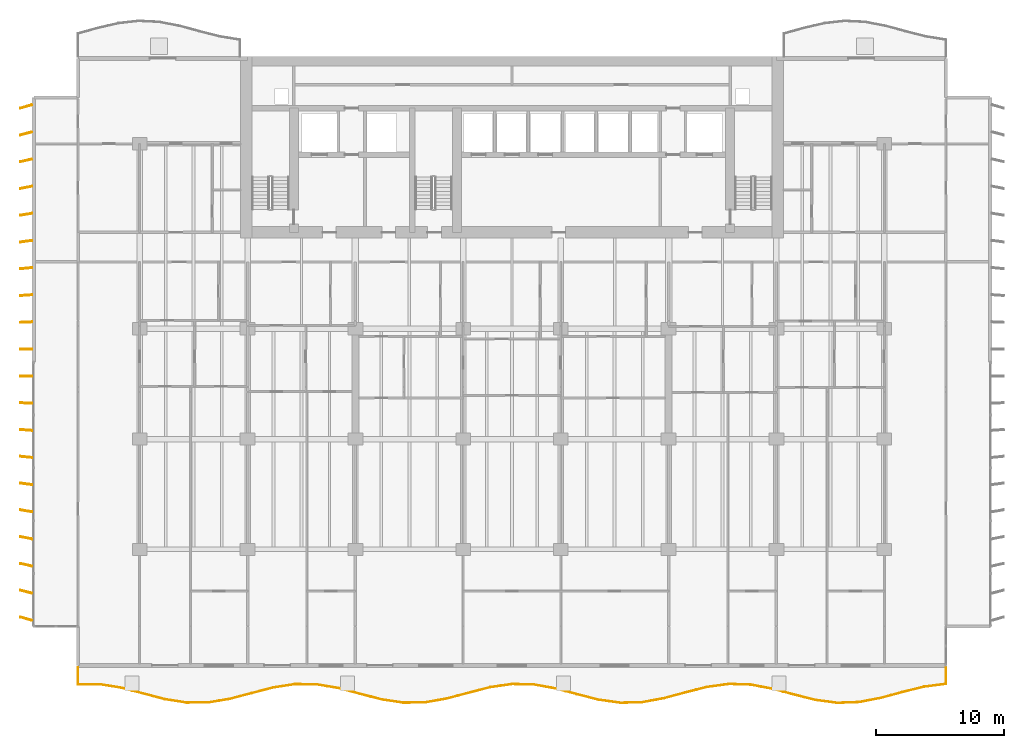
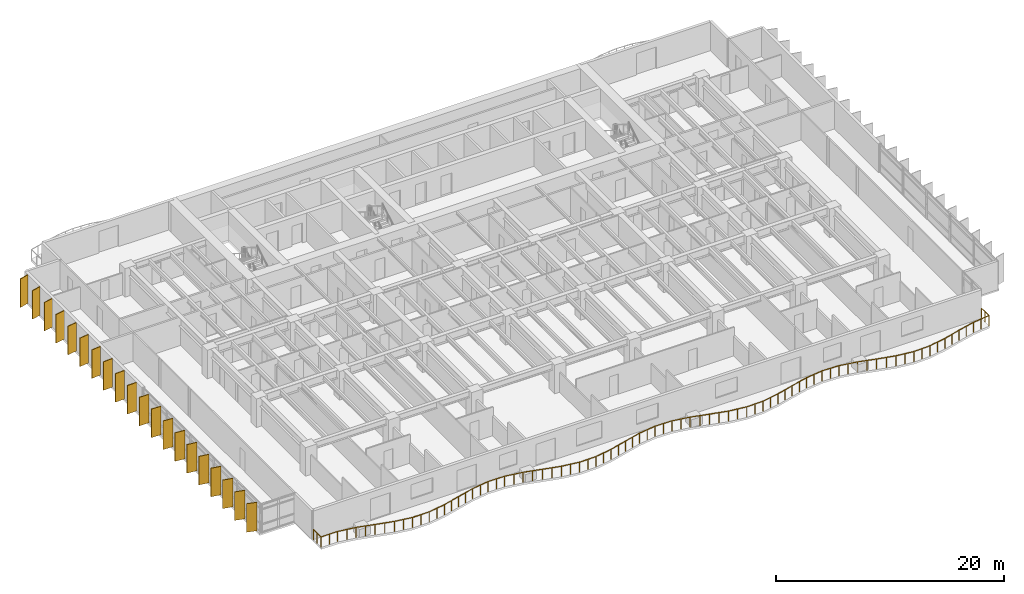
# One storey, part 14 of 17: 20 shading devices, 1 railing.
"""IFC4 building model written with IfcOpenShell, lengths in metres."""

from ifc_helpers import new_model, si_unit, direction, frame, origin, origin_2d, place, context, subcontext, project, spatial, rectangle, circle, extrude, material, material_profile, profile_set, type_object, element, save


model = new_model("IFC4")

# Units and contexts
model_context = context("Model", 3, precision=1e-05, world=origin(), true_north=direction((0.0, 1.0)))
body_context = subcontext(model_context, "Body", "Model", "MODEL_VIEW")
ifc_project = project(units=[si_unit("LENGTHUNIT", "METRE"), si_unit("AREAUNIT", "SQUARE_METRE"), si_unit("VOLUMEUNIT", "CUBIC_METRE"), si_unit("PLANEANGLEUNIT", "RADIAN"), si_unit("MASSUNIT", "GRAM", prefix="KILO")], contexts=[model_context])

# Site, building, storey
site_placement = place(None, origin())
site = spatial("IfcSite", under=ifc_project, at=site_placement, CompositionType="ELEMENT")
building_placement = place(site_placement, origin())
building = spatial("IfcBuilding", under=site, at=building_placement, Name="Caelmar Bay Residences", CompositionType="ELEMENT")
storey_placement = place(building_placement, frame((0.0, 0.0, 53.10009765625)))
storey = spatial("IfcBuildingStorey", under=building, at=storey_placement, Name="L13", CompositionType="ELEMENT", Elevation=53.10009765625)

# Railing
ifc_material_1 = material(Name="Anodised bronze handrail with laminated hurricane glass infill", Category="glass")
railing_type = type_object("IfcRailingType", Name="RL-BAL-1100", PredefinedType="BALUSTRADE", material=ifc_material_1)
railing_placement = place(storey_placement, frame((5.10009765625, 3.0, 0.0)))
element("IfcRailing", 1, at=railing_placement, inside=storey, type_object=railing_type, Name="L13 south Balcony Balustrade", PredefinedType="BALUSTRADE", context=body_context, shape_type="SweptSolid", body=[
    extrude(circle(Radius=0.02392578125, at=origin_2d()), frame((0.0, 0.0, 1.076171875), z_axis=(0.0, -1.0, 0.0), x_axis=(1.0, 0.0, 0.0)), (0.0, 0.0, 1.0), 1.306640625),
    extrude(circle(Radius=0.02392578125, at=origin_2d()), frame((0.0, -1.306640625, 1.076171875), z_axis=(0.999999833035, -0.000577867572, 0.0), x_axis=(0.000577867572, 0.999999833035, 0.0)), (0.0, 0.0, 1.0), 1.68994140625),
    extrude(circle(Radius=0.02392578125, at=origin_2d()), frame((1.68994140625, -1.3076171875, 1.076171875), z_axis=(0.986912976197, -0.161253767131, 0.0), x_axis=(0.161253767131, 0.986912976197, 0.0)), (0.0, 0.0, 1.0), 1.71240234375),
    extrude(circle(Radius=0.02392578125, at=origin_2d()), frame((3.3798828125, -1.583740234375, 1.076171875), z_axis=(0.967094441618, -0.254417650706, 0.0), x_axis=(0.254417650706, 0.967094441618, 0.0)), (0.0, 0.0, 1.0), 1.74755859375),
    extrude(circle(Radius=0.02392578125, at=origin_2d()), frame((5.06982421875, -2.0283203125, 1.076171875), z_axis=(0.967514789184, -0.252814423463, 0.0), x_axis=(0.252814423463, 0.967514789184, 0.0)), (0.0, 0.0, 1.0), 1.746826171875),
    extrude(circle(Radius=0.02392578125, at=origin_2d()), frame((6.760009765625, -2.469970703125, 1.076171875), z_axis=(0.98769577134, -0.156387541952, 0.0), x_axis=(0.156387541952, 0.98769577134, 0.0)), (0.0, 0.0, 1.0), 1.7109375),
    extrude(circle(Radius=0.02392578125, at=origin_2d()), frame((8.449951171875, -2.737548828125, 1.076171875), z_axis=(0.999983303866, 0.005778580201, 0.0), x_axis=(-0.005778580201, 0.999983303866, 0.0)), (0.0, 0.0, 1.0), 1.68994140625),
    extrude(circle(Radius=0.02392578125, at=origin_2d()), frame((10.139892578125, -2.727783203125, 1.076171875), z_axis=(0.986270417798, 0.165138314682, 0.0), x_axis=(-0.165138314682, 0.986270417798, 0.0)), (0.0, 0.0, 1.0), 1.71337890625),
    extrude(circle(Radius=0.02392578125, at=origin_2d()), frame((11.829833984375, -2.44482421875, 1.076171875), z_axis=(0.966724528556, 0.255819635464, 0.0), x_axis=(-0.255819635464, 0.966724528556, 0.0)), (0.0, 0.0, 1.0), 1.748291015625),
    extrude(circle(Radius=0.02392578125, at=origin_2d()), frame((13.52001953125, -1.99755859375, 1.076171875), z_axis=(0.967949070137, 0.251146566016, 0.0), x_axis=(-0.251146566016, 0.967949070137, 0.0)), (0.0, 0.0, 1.0), 1.745849609375),
    extrude(circle(Radius=0.02392578125, at=origin_2d()), frame((15.2099609375, -1.55908203125, 1.076171875), z_axis=(0.988327087853, 0.152346865464, 0.0), x_axis=(-0.152346865464, 0.988327087853, 0.0)), (0.0, 0.0, 1.0), 1.7099609375),
    extrude(circle(Radius=0.02392578125, at=origin_2d()), frame((16.89990234375, -1.298583984375, 1.076171875), z_axis=(0.999941306352, -0.010834382834, 0.0), x_axis=(0.010834382834, 0.999941306352, 0.0)), (0.0, 0.0, 1.0), 1.68994140625),
    extrude(circle(Radius=0.02392578125, at=origin_2d()), frame((18.58984375, -1.31689453125, 1.076171875), z_axis=(0.985613445936, -0.169015192188, 0.0), x_axis=(0.169015192188, 0.985613445936, 0.0)), (0.0, 0.0, 1.0), 1.714599609375),
    extrude(circle(Radius=0.02392578125, at=origin_2d()), frame((20.27978515625, -1.606689453125, 1.076171875), z_axis=(0.966378433467, -0.257123945464, 0.0), x_axis=(0.257123945464, 0.966378433467, 0.0)), (0.0, 0.0, 1.0), 1.7490234375),
    extrude(circle(Radius=0.02392578125, at=origin_2d()), frame((21.969970703125, -2.056396484375, 1.076171875), z_axis=(0.968355890174, -0.249573375913, 0.0), x_axis=(0.249573375913, 0.968355890174, 0.0)), (0.0, 0.0, 1.0), 1.7451171875),
    extrude(circle(Radius=0.02392578125, at=origin_2d()), frame((23.659912109375, -2.491943359375, 1.076171875), z_axis=(0.988963583268, -0.148158803214, 0.0), x_axis=(0.148158803214, 0.988963583268, 0.0)), (0.0, 0.0, 1.0), 1.708740234375),
    extrude(circle(Radius=0.02392578125, at=origin_2d()), frame((25.349853515625, -2.7451171875, 1.076171875), z_axis=(0.999873756235, 0.015889354693, 0.0), x_axis=(-0.015889354693, 0.999873756235, 0.0)), (0.0, 0.0, 1.0), 1.690185546875),
    extrude(circle(Radius=0.02392578125, at=origin_2d()), frame((27.039794921875, -2.71826171875, 1.076171875), z_axis=(0.984922170397, 0.172998029641, 0.0), x_axis=(-0.172998029641, 0.984922170397, 0.0)), (0.0, 0.0, 1.0), 1.716064453125),
    extrude(circle(Radius=0.02392578125, at=origin_2d()), frame((28.72998046875, -2.42138671875, 1.076171875), z_axis=(0.966056345192, 0.258331449718, 0.0), x_axis=(-0.258331449718, 0.966056345192, 0.0)), (0.0, 0.0, 1.0), 1.749267578125),
    extrude(circle(Radius=0.02392578125, at=origin_2d()), frame((30.419921875, -1.969482421875, 1.076171875), z_axis=(0.968794107447, 0.24786685413, 0.0), x_axis=(-0.24786685413, 0.968794107447, 0.0)), (0.0, 0.0, 1.0), 1.744384765625),
    extrude(circle(Radius=0.02392578125, at=origin_2d()), frame((32.10986328125, -1.537109375, 1.076171875), z_axis=(0.989603464117, 0.143822751358, 0.0), x_axis=(-0.143822751358, 0.989603464117, 0.0)), (0.0, 0.0, 1.0), 1.707763671875),
    extrude(circle(Radius=0.02392578125, at=origin_2d()), frame((33.7998046875, -1.29150390625, 1.076171875), z_axis=(0.99977769859, -0.021084435071, 0.0), x_axis=(0.021084435071, 0.99977769859, 0.0)), (0.0, 0.0, 1.0), 1.690673828125),
    extrude(circle(Radius=0.02392578125, at=origin_2d()), frame((35.489990234375, -1.3271484375, 1.076171875), z_axis=(0.984256622115, -0.176745302122, 0.0), x_axis=(0.176745302122, 0.984256622115, 0.0)), (0.0, 0.0, 1.0), 1.717041015625),
    extrude(circle(Radius=0.02392578125, at=origin_2d()), frame((37.179931640625, -1.630615234375, 1.076171875), z_axis=(0.965777225915, -0.259372993784, 0.0), x_axis=(0.259372993784, 0.965777225915, 0.0)), (0.0, 0.0, 1.0), 1.749755859375),
    extrude(circle(Radius=0.02392578125, at=origin_2d()), frame((38.869873046875, -2.08447265625, 1.076171875), z_axis=(0.969263107801, -0.246026477955, 0.0), x_axis=(0.246026477955, 0.969263107801, 0.0)), (0.0, 0.0, 1.0), 1.74365234375),
    extrude(circle(Radius=0.02392578125, at=origin_2d()), frame((40.559814453125, -2.513427734375, 1.076171875), z_axis=(0.990208134164, -0.139598893391, 0.0), x_axis=(0.139598893391, 0.990208134164, 0.0)), (0.0, 0.0, 1.0), 1.706787109375),
    extrude(circle(Radius=0.02392578125, at=origin_2d()), frame((42.25, -2.751708984375, 1.076171875), z_axis=(0.999658302876, 0.026139577119, 0.0), x_axis=(-0.026139577119, 0.999658302876, 0.0)), (0.0, 0.0, 1.0), 1.6904296875),
    extrude(circle(Radius=0.02392578125, at=origin_2d()), frame((43.93994140625, -2.70751953125, 1.076171875), z_axis=(0.983582184878, 0.180460759144, 0.0), x_axis=(-0.180460759144, 0.983582184878, 0.0)), (0.0, 0.0, 1.0), 1.71826171875),
    extrude(circle(Radius=0.02392578125, at=origin_2d()), frame((45.6298828125, -2.3974609375, 1.076171875), z_axis=(0.965497146249, 0.260413633639, 0.0), x_axis=(-0.260413633639, 0.965497146249, 0.0)), (0.0, 0.0, 1.0), 1.750244140625),
    extrude(circle(Radius=0.02392578125, at=origin_2d()), frame((47.31982421875, -1.941650390625, 1.076171875), z_axis=(0.969737411097, 0.244150268315, 0.0), x_axis=(-0.244150268315, 0.969737411097, 0.0)), (0.0, 0.0, 1.0), 1.742919921875),
    extrude(circle(Radius=0.02392578125, at=origin_2d()), frame((49.010009765625, -1.51611328125, 1.076171875), z_axis=(0.990790057905, 0.135407020338, 0.0), x_axis=(-0.135407020338, 0.990790057905, 0.0)), (0.0, 0.0, 1.0), 1.70556640625),
    extrude(circle(Radius=0.02392578125, at=origin_2d()), frame((50.699951171875, -1.28515625, 1.076171875), z_axis=(0.999504439275, -0.031478180838, 0.0), x_axis=(0.031478180838, 0.999504439275, 0.0)), (0.0, 0.0, 1.0), 1.690673828125),
    extrude(circle(Radius=0.02392578125, at=origin_2d()), frame((52.389892578125, -1.33837890625, 1.076171875), z_axis=(0.982920379518, -0.18403132214, 0.0), x_axis=(0.18403132214, 0.982920379518, 0.0)), (0.0, 0.0, 1.0), 1.71923828125),
    extrude(circle(Radius=0.02392578125, at=origin_2d()), frame((54.079833984375, -1.65478515625, 1.076171875), z_axis=(0.965260811811, -0.26128827984, 0.0), x_axis=(0.26128827984, 0.965260811811, 0.0)), (0.0, 0.0, 1.0), 1.7509765625),
    extrude(circle(Radius=0.02392578125, at=origin_2d()), frame((55.77001953125, -2.1123046875, 1.076171875), z_axis=(0.970224894322, -0.242205810082, 0.0), x_axis=(0.242205810082, 0.970224894322, 0.0)), (0.0, 0.0, 1.0), 1.74169921875),
    extrude(circle(Radius=0.02392578125, at=origin_2d()), frame((57.4599609375, -2.5341796875, 1.076171875), z_axis=(0.991394719073, -0.130906497144, 0.0), x_axis=(0.130906497144, 0.991394719073, 0.0)), (0.0, 0.0, 1.0), 1.70458984375),
    extrude(circle(Radius=0.02392578125, at=origin_2d()), frame((59.14990234375, -2.75732421875, 1.076171875), z_axis=(0.99933797185, 0.036381561529, 0.0), x_axis=(-0.036381561529, 0.99933797185, 0.0)), (0.0, 0.0, 1.0), 1.691162109375),
    extrude(circle(Radius=0.02392578125, at=origin_2d()), frame((60.83984375, -2.69580078125, 1.076171875), z_axis=(0.98222038124, 0.187731517536, 0.0), x_axis=(-0.187731517536, 0.98222038124, 0.0)), (0.0, 0.0, 1.0), 1.720458984375),
    extrude(circle(Radius=0.02392578125, at=origin_2d()), frame((62.52978515625, -2.372802734375, 1.076171875), z_axis=(0.965049551318, 0.262067478908, 0.0), x_axis=(-0.262067478908, 0.965049551318, 0.0)), (0.0, 0.0, 1.0), 1.75146484375),
    extrude(circle(Radius=0.02392578125, at=origin_2d()), frame((64.219970703125, -1.913818359375, 1.076171875), z_axis=(0.970717195003, 0.240225159642, 0.0), x_axis=(-0.240225159642, 0.970717195003, 0.0)), (0.0, 0.0, 1.0), 1.740966796875),
    extrude(circle(Radius=0.02392578125, at=origin_2d()), frame((65.909912109375, -1.49560546875, 1.076171875), z_axis=(0.991961648228, 0.126538881159, 0.0), x_axis=(-0.126538881159, 0.991961648228, 0.0)), (0.0, 0.0, 1.0), 1.70361328125),
    extrude(circle(Radius=0.02392578125, at=origin_2d()), frame((67.599853515625, -1.280029296875, 1.076171875), z_axis=(0.0, 1.0, 0.0), x_axis=(-1.0, 0.0, 0.0)), (0.0, 0.0, 1.0), 1.280029296875),
    extrude(circle(Radius=0.02099609375, at=origin_2d()), origin(), (0.0, 0.0, 1.0), 1.052001953125),
    extrude(circle(Radius=0.02099609375, at=origin_2d()), frame((0.0, -0.6533203125, 0.0)), (0.0, 0.0, 1.0), 1.052001953125),
    extrude(circle(Radius=0.02099609375, at=origin_2d()), frame((0.0, -1.306640625, 0.0)), (0.0, 0.0, 1.0), 1.052001953125),
    extrude(circle(Radius=0.02099609375, at=origin_2d()), frame((0.844970703125, -1.30712890625, 0.0)), (0.0, 0.0, 1.0), 1.052001953125),
    extrude(circle(Radius=0.02099609375, at=origin_2d()), frame((1.68994140625, -1.3076171875, 0.0)), (0.0, 0.0, 1.0), 1.052001953125),
    extrude(circle(Radius=0.02099609375, at=origin_2d()), frame((2.534912109375, -1.44580078125, 0.0)), (0.0, 0.0, 1.0), 1.052001953125),
    extrude(circle(Radius=0.02099609375, at=origin_2d()), frame((3.3798828125, -1.583740234375, 0.0)), (0.0, 0.0, 1.0), 1.052001953125),
    extrude(circle(Radius=0.02099609375, at=origin_2d()), frame((4.224853515625, -1.80615234375, 0.0)), (0.0, 0.0, 1.0), 1.052001953125),
    extrude(circle(Radius=0.02099609375, at=origin_2d()), frame((5.06982421875, -2.0283203125, 0.0)), (0.0, 0.0, 1.0), 1.052001953125),
    extrude(circle(Radius=0.02099609375, at=origin_2d()), frame((5.9150390625, -2.2490234375, 0.0)), (0.0, 0.0, 1.0), 1.052001953125),
    extrude(circle(Radius=0.02099609375, at=origin_2d()), frame((6.760009765625, -2.469970703125, 0.0)), (0.0, 0.0, 1.0), 1.052001953125),
    extrude(circle(Radius=0.02099609375, at=origin_2d()), frame((7.60498046875, -2.603759765625, 0.0)), (0.0, 0.0, 1.0), 1.052001953125),
    extrude(circle(Radius=0.02099609375, at=origin_2d()), frame((8.449951171875, -2.737548828125, 0.0)), (0.0, 0.0, 1.0), 1.052001953125),
    extrude(circle(Radius=0.02099609375, at=origin_2d()), frame((9.294921875, -2.732666015625, 0.0)), (0.0, 0.0, 1.0), 1.052001953125),
    extrude(circle(Radius=0.02099609375, at=origin_2d()), frame((10.139892578125, -2.727783203125, 0.0)), (0.0, 0.0, 1.0), 1.052001953125),
    extrude(circle(Radius=0.02099609375, at=origin_2d()), frame((10.98486328125, -2.58642578125, 0.0)), (0.0, 0.0, 1.0), 1.052001953125),
    extrude(circle(Radius=0.02099609375, at=origin_2d()), frame((11.829833984375, -2.44482421875, 0.0)), (0.0, 0.0, 1.0), 1.052001953125),
    extrude(circle(Radius=0.02099609375, at=origin_2d()), frame((12.6748046875, -2.22119140625, 0.0)), (0.0, 0.0, 1.0), 1.052001953125),
    extrude(circle(Radius=0.02099609375, at=origin_2d()), frame((13.52001953125, -1.99755859375, 0.0)), (0.0, 0.0, 1.0), 1.052001953125),
    extrude(circle(Radius=0.02099609375, at=origin_2d()), frame((14.364990234375, -1.7783203125, 0.0)), (0.0, 0.0, 1.0), 1.052001953125),
    extrude(circle(Radius=0.02099609375, at=origin_2d()), frame((15.2099609375, -1.55908203125, 0.0)), (0.0, 0.0, 1.0), 1.052001953125),
    extrude(circle(Radius=0.02099609375, at=origin_2d()), frame((16.054931640625, -1.4287109375, 0.0)), (0.0, 0.0, 1.0), 1.052001953125),
    extrude(circle(Radius=0.02099609375, at=origin_2d()), frame((16.89990234375, -1.298583984375, 0.0)), (0.0, 0.0, 1.0), 1.052001953125),
    extrude(circle(Radius=0.02099609375, at=origin_2d()), frame((17.744873046875, -1.3076171875, 0.0)), (0.0, 0.0, 1.0), 1.052001953125),
    extrude(circle(Radius=0.02099609375, at=origin_2d()), frame((18.58984375, -1.31689453125, 0.0)), (0.0, 0.0, 1.0), 1.052001953125),
    extrude(circle(Radius=0.02099609375, at=origin_2d()), frame((19.434814453125, -1.4619140625, 0.0)), (0.0, 0.0, 1.0), 1.052001953125),
    extrude(circle(Radius=0.02099609375, at=origin_2d()), frame((20.27978515625, -1.606689453125, 0.0)), (0.0, 0.0, 1.0), 1.052001953125),
    extrude(circle(Radius=0.02099609375, at=origin_2d()), frame((21.125, -1.83154296875, 0.0)), (0.0, 0.0, 1.0), 1.052001953125),
    extrude(circle(Radius=0.02099609375, at=origin_2d()), frame((21.969970703125, -2.056396484375, 0.0)), (0.0, 0.0, 1.0), 1.052001953125),
    extrude(circle(Radius=0.02099609375, at=origin_2d()), frame((22.81494140625, -2.274169921875, 0.0)), (0.0, 0.0, 1.0), 1.052001953125),
    extrude(circle(Radius=0.02099609375, at=origin_2d()), frame((23.659912109375, -2.491943359375, 0.0)), (0.0, 0.0, 1.0), 1.052001953125),
    extrude(circle(Radius=0.02099609375, at=origin_2d()), frame((24.5048828125, -2.61865234375, 0.0)), (0.0, 0.0, 1.0), 1.052001953125),
    extrude(circle(Radius=0.02099609375, at=origin_2d()), frame((25.349853515625, -2.7451171875, 0.0)), (0.0, 0.0, 1.0), 1.052001953125),
    extrude(circle(Radius=0.02099609375, at=origin_2d()), frame((26.19482421875, -2.731689453125, 0.0)), (0.0, 0.0, 1.0), 1.052001953125),
    extrude(circle(Radius=0.02099609375, at=origin_2d()), frame((27.039794921875, -2.71826171875, 0.0)), (0.0, 0.0, 1.0), 1.052001953125),
    extrude(circle(Radius=0.02099609375, at=origin_2d()), frame((27.884765625, -2.56982421875, 0.0)), (0.0, 0.0, 1.0), 1.052001953125),
    extrude(circle(Radius=0.02099609375, at=origin_2d()), frame((28.72998046875, -2.42138671875, 0.0)), (0.0, 0.0, 1.0), 1.052001953125),
    extrude(circle(Radius=0.02099609375, at=origin_2d()), frame((29.574951171875, -2.1953125, 0.0)), (0.0, 0.0, 1.0), 1.052001953125),
    extrude(circle(Radius=0.02099609375, at=origin_2d()), frame((30.419921875, -1.969482421875, 0.0)), (0.0, 0.0, 1.0), 1.052001953125),
    extrude(circle(Radius=0.02099609375, at=origin_2d()), frame((31.264892578125, -1.75341796875, 0.0)), (0.0, 0.0, 1.0), 1.052001953125),
    extrude(circle(Radius=0.02099609375, at=origin_2d()), frame((32.10986328125, -1.537109375, 0.0)), (0.0, 0.0, 1.0), 1.052001953125),
    extrude(circle(Radius=0.02099609375, at=origin_2d()), frame((32.954833984375, -1.414306640625, 0.0)), (0.0, 0.0, 1.0), 1.052001953125),
    extrude(circle(Radius=0.02099609375, at=origin_2d()), frame((33.7998046875, -1.29150390625, 0.0)), (0.0, 0.0, 1.0), 1.052001953125),
    extrude(circle(Radius=0.02099609375, at=origin_2d()), frame((34.64501953125, -1.309326171875, 0.0)), (0.0, 0.0, 1.0), 1.052001953125),
    extrude(circle(Radius=0.02099609375, at=origin_2d()), frame((35.489990234375, -1.3271484375, 0.0)), (0.0, 0.0, 1.0), 1.052001953125),
    extrude(circle(Radius=0.02099609375, at=origin_2d()), frame((36.3349609375, -1.47900390625, 0.0)), (0.0, 0.0, 1.0), 1.052001953125),
    extrude(circle(Radius=0.02099609375, at=origin_2d()), frame((37.179931640625, -1.630615234375, 0.0)), (0.0, 0.0, 1.0), 1.052001953125),
    extrude(circle(Radius=0.02099609375, at=origin_2d()), frame((38.02490234375, -1.857421875, 0.0)), (0.0, 0.0, 1.0), 1.052001953125),
    extrude(circle(Radius=0.02099609375, at=origin_2d()), frame((38.869873046875, -2.08447265625, 0.0)), (0.0, 0.0, 1.0), 1.052001953125),
    extrude(circle(Radius=0.02099609375, at=origin_2d()), frame((39.71484375, -2.298828125, 0.0)), (0.0, 0.0, 1.0), 1.052001953125),
    extrude(circle(Radius=0.02099609375, at=origin_2d()), frame((40.559814453125, -2.513427734375, 0.0)), (0.0, 0.0, 1.0), 1.052001953125),
    extrude(circle(Radius=0.02099609375, at=origin_2d()), frame((41.40478515625, -2.632568359375, 0.0)), (0.0, 0.0, 1.0), 1.052001953125),
    extrude(circle(Radius=0.02099609375, at=origin_2d()), frame((42.25, -2.751708984375, 0.0)), (0.0, 0.0, 1.0), 1.052001953125),
    extrude(circle(Radius=0.02099609375, at=origin_2d()), frame((43.094970703125, -2.7294921875, 0.0)), (0.0, 0.0, 1.0), 1.052001953125),
    extrude(circle(Radius=0.02099609375, at=origin_2d()), frame((43.93994140625, -2.70751953125, 0.0)), (0.0, 0.0, 1.0), 1.052001953125),
    extrude(circle(Radius=0.02099609375, at=origin_2d()), frame((44.784912109375, -2.552490234375, 0.0)), (0.0, 0.0, 1.0), 1.052001953125),
    extrude(circle(Radius=0.02099609375, at=origin_2d()), frame((45.6298828125, -2.3974609375, 0.0)), (0.0, 0.0, 1.0), 1.052001953125),
    extrude(circle(Radius=0.02099609375, at=origin_2d()), frame((46.474853515625, -2.16943359375, 0.0)), (0.0, 0.0, 1.0), 1.052001953125),
    extrude(circle(Radius=0.02099609375, at=origin_2d()), frame((47.31982421875, -1.941650390625, 0.0)), (0.0, 0.0, 1.0), 1.052001953125),
    extrude(circle(Radius=0.02099609375, at=origin_2d()), frame((48.1650390625, -1.72900390625, 0.0)), (0.0, 0.0, 1.0), 1.052001953125),
    extrude(circle(Radius=0.02099609375, at=origin_2d()), frame((49.010009765625, -1.51611328125, 0.0)), (0.0, 0.0, 1.0), 1.052001953125),
    extrude(circle(Radius=0.02099609375, at=origin_2d()), frame((49.85498046875, -1.400634765625, 0.0)), (0.0, 0.0, 1.0), 1.052001953125),
    extrude(circle(Radius=0.02099609375, at=origin_2d()), frame((50.699951171875, -1.28515625, 0.0)), (0.0, 0.0, 1.0), 1.052001953125),
    extrude(circle(Radius=0.02099609375, at=origin_2d()), frame((51.544921875, -1.311767578125, 0.0)), (0.0, 0.0, 1.0), 1.052001953125),
    extrude(circle(Radius=0.02099609375, at=origin_2d()), frame((52.389892578125, -1.33837890625, 0.0)), (0.0, 0.0, 1.0), 1.052001953125),
    extrude(circle(Radius=0.02099609375, at=origin_2d()), frame((53.23486328125, -1.49658203125, 0.0)), (0.0, 0.0, 1.0), 1.052001953125),
    extrude(circle(Radius=0.02099609375, at=origin_2d()), frame((54.079833984375, -1.65478515625, 0.0)), (0.0, 0.0, 1.0), 1.052001953125),
    extrude(circle(Radius=0.02099609375, at=origin_2d()), frame((54.9248046875, -1.883544921875, 0.0)), (0.0, 0.0, 1.0), 1.052001953125),
    extrude(circle(Radius=0.02099609375, at=origin_2d()), frame((55.77001953125, -2.1123046875, 0.0)), (0.0, 0.0, 1.0), 1.052001953125),
    extrude(circle(Radius=0.02099609375, at=origin_2d()), frame((56.614990234375, -2.3232421875, 0.0)), (0.0, 0.0, 1.0), 1.052001953125),
    extrude(circle(Radius=0.02099609375, at=origin_2d()), frame((57.4599609375, -2.5341796875, 0.0)), (0.0, 0.0, 1.0), 1.052001953125),
    extrude(circle(Radius=0.02099609375, at=origin_2d()), frame((58.304931640625, -2.645751953125, 0.0)), (0.0, 0.0, 1.0), 1.052001953125),
    extrude(circle(Radius=0.02099609375, at=origin_2d()), frame((59.14990234375, -2.75732421875, 0.0)), (0.0, 0.0, 1.0), 1.052001953125),
    extrude(circle(Radius=0.02099609375, at=origin_2d()), frame((59.994873046875, -2.7265625, 0.0)), (0.0, 0.0, 1.0), 1.052001953125),
    extrude(circle(Radius=0.02099609375, at=origin_2d()), frame((60.83984375, -2.69580078125, 0.0)), (0.0, 0.0, 1.0), 1.052001953125),
    extrude(circle(Radius=0.02099609375, at=origin_2d()), frame((61.684814453125, -2.5341796875, 0.0)), (0.0, 0.0, 1.0), 1.052001953125),
    extrude(circle(Radius=0.02099609375, at=origin_2d()), frame((62.52978515625, -2.372802734375, 0.0)), (0.0, 0.0, 1.0), 1.052001953125),
    extrude(circle(Radius=0.02099609375, at=origin_2d()), frame((63.375, -2.143310546875, 0.0)), (0.0, 0.0, 1.0), 1.052001953125),
    extrude(circle(Radius=0.02099609375, at=origin_2d()), frame((64.219970703125, -1.913818359375, 0.0)), (0.0, 0.0, 1.0), 1.052001953125),
    extrude(circle(Radius=0.02099609375, at=origin_2d()), frame((65.06494140625, -1.70458984375, 0.0)), (0.0, 0.0, 1.0), 1.052001953125),
    extrude(circle(Radius=0.02099609375, at=origin_2d()), frame((65.909912109375, -1.49560546875, 0.0)), (0.0, 0.0, 1.0), 1.052001953125),
    extrude(circle(Radius=0.02099609375, at=origin_2d()), frame((66.7548828125, -1.3876953125, 0.0)), (0.0, 0.0, 1.0), 1.052001953125),
    extrude(circle(Radius=0.02099609375, at=origin_2d()), frame((67.599853515625, -1.280029296875, 0.0)), (0.0, 0.0, 1.0), 1.052001953125),
    extrude(circle(Radius=0.02099609375, at=origin_2d()), frame((67.599853515625, -0.64013671875, 0.0)), (0.0, 0.0, 1.0), 1.052001953125),
    extrude(circle(Radius=0.02099609375, at=origin_2d()), frame((67.599853515625, 0.0, 0.0)), (0.0, 0.0, 1.0), 1.052001953125),
])

# Shading devices
ifc_material_2 = material(Name="Anodised architectural bronze aluminium 6063-T6", Category="aluminium")
ifc_material_profile = material_profile(ifc_material_2, rectangle(XDim=0.074951171875, YDim=0.949951171875, at=origin_2d()), Name="BRONZE-FIN-75X950")
ifc_profile_set = profile_set([ifc_material_profile], Name="Anodised architectural bronze aluminium 6063-T6")
shading_device_type = type_object("IfcShadingDeviceType", Name="SHD-FIN-950", PredefinedType="USERDEFINED", material=ifc_profile_set)
for number, where, z_axis, x_axis, name in (
    (2, (1.050048828125, 6.800048828125, 0.0), (0.0, 0.0, 1.0), (0.275637355817, 0.961261695938, 0.0), "L13 West Bronze Solar Fin 1"),
    (3, (1.050048828125, 8.89990234375, 0.0), (0.0, 0.0, 1.0), (0.247337247968, 0.968929453452, 0.0), "L13 West Bronze Solar Fin 2"),
    (4, (1.050048828125, 11.0, 0.0), (0.0, 0.0, 1.0), (0.218654200292, 0.975802408633, 0.0), "L13 West Bronze Solar Fin 3"),
    (5, (1.050048828125, 13.10009765625, 0.0), (0.0, 0.0, 1.0), (0.189952291512, 0.981793321911, 0.0), "L13 West Bronze Solar Fin 4"),
    (6, (1.050048828125, 15.199951171875, 0.0), (0.0, 0.0, 1.0), (0.160914826518, 0.986968296657, 0.0), "L13 West Bronze Solar Fin 5"),
    (7, (1.050048828125, 17.300048828125, 0.0), (0.0, 0.0, 1.0), (0.131910382711, 0.991261646052, 0.0), "L13 West Bronze Solar Fin 6"),
    (8, (1.050048828125, 19.39990234375, 0.0), (0.0, 0.0, 1.0), (0.10261892683, 0.994720742649, 0.0), "L13 West Bronze Solar Fin 7"),
    (9, (1.050048828125, 21.5, 0.0), (0.0, 0.0, 1.0), (0.073412260224, 0.997301679558, 0.0), "L13 West Bronze Solar Fin 8"),
    (10, (1.050048828125, 23.60009765625, 0.0), (0.0, 0.0, 1.0), (0.044142481788, 0.999025245578, 0.0), "L13 West Bronze Solar Fin 9"),
    (11, (1.050048828125, 25.699951171875, 0.0), (0.0, 0.0, 1.0), (0.01466024053, 0.999892532899, 0.0), "L13 West Bronze Solar Fin 10"),
    (12, (1.050048828125, 27.800048828125, 0.0), (0.0, 0.0, 1.0), (-0.01466024053, 0.999892532899, 0.0), "L13 West Bronze Solar Fin 11"),
    (13, (1.050048828125, 29.89990234375, 0.0), (0.0, 0.0, 1.0), (-0.044142481788, 0.999025245578, 0.0), "L13 West Bronze Solar Fin 12"),
    (14, (1.050048828125, 32.0, 0.0), (0.0, 0.0, 1.0), (-0.073412260224, 0.997301679558, 0.0), "L13 West Bronze Solar Fin 13"),
    (15, (1.050048828125, 34.10009765625, 0.0), (0.0, 0.0, 1.0), (-0.10261892683, 0.994720742649, 0.0), "L13 West Bronze Solar Fin 14"),
    (16, (1.050048828125, 36.199951171875, 0.0), (0.0, 0.0, 1.0), (-0.131910382711, 0.991261646052, 0.0), "L13 West Bronze Solar Fin 15"),
    (17, (1.050048828125, 38.300048828125, 0.0), (0.0, 0.0, 1.0), (-0.160914826518, 0.986968296657, 0.0), "L13 West Bronze Solar Fin 16"),
    (18, (1.050048828125, 40.39990234375, 0.0), (0.0, 0.0, 1.0), (-0.189952291512, 0.981793321911, 0.0), "L13 West Bronze Solar Fin 17"),
    (19, (1.050048828125, 42.5, 0.0), (0.0, 0.0, 1.0), (-0.218654200292, 0.975802408633, 0.0), "L13 West Bronze Solar Fin 18"),
    (20, (1.050048828125, 44.60009765625, 0.0), (0.0, 0.0, 1.0), (-0.247337247968, 0.968929453452, 0.0), "L13 West Bronze Solar Fin 19"),
    (21, (1.050048828125, 46.699951171875, 0.0), (0.0, 0.0, 1.0), (-0.275637355817, 0.961261695938, 0.0), "L13 West Bronze Solar Fin 20"),
):
    element("IfcShadingDevice", number, at=place(storey_placement, frame(where, z_axis=z_axis, x_axis=x_axis)), inside=storey, type_object=shading_device_type, Name=name, ObjectType="FIN", PredefinedType="USERDEFINED", context=body_context, shape_type="SweptSolid", body=[
        extrude(rectangle(XDim=0.074951171875, YDim=0.949951171875, at=origin_2d()), origin(), (0.0, 0.0, 1.0), 3.0498046875),
    ])

save(model, "model.ifc")
